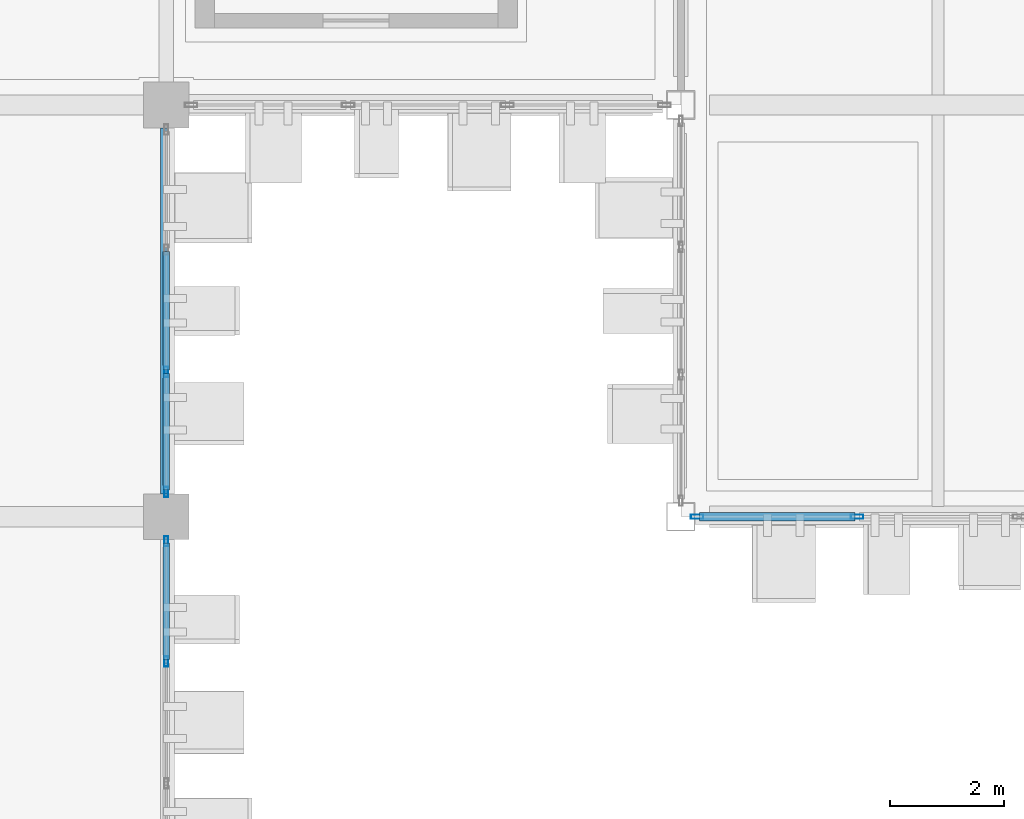
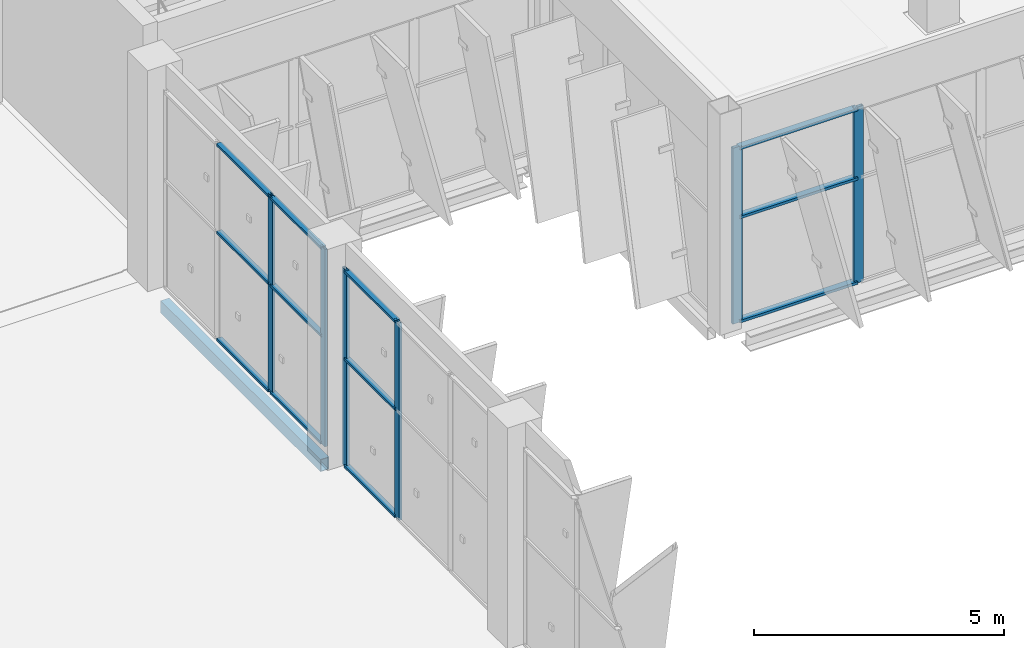
# One storey, part 61 of 137: 18 members, 1 beam, 3 elements without a shape of their own.
"""IFC4 building model written with IfcOpenShell, lengths in metres."""

from ifc_helpers import new_model, si_unit, direction, frame, origin, origin_2d, place, context, subcontext, project, spatial, hollow_rectangle, extrude, material, layer, layer_set, material_profile, profile_set, type_object, element, aggregate, save


model = new_model("IFC4")

# Units and contexts
model_context = context("Model", 3, precision=1e-05, world=origin(), true_north=direction((0.0, 1.0)))
body_context = subcontext(model_context, "Body", "Model", "MODEL_VIEW")
ifc_project = project(units=[si_unit("LENGTHUNIT", "METRE"), si_unit("AREAUNIT", "SQUARE_METRE"), si_unit("VOLUMEUNIT", "CUBIC_METRE"), si_unit("PLANEANGLEUNIT", "RADIAN"), si_unit("MASSUNIT", "GRAM", prefix="KILO")], contexts=[model_context])

# Site, building, storey
site_placement = place(None, origin())
site = spatial("IfcSite", under=ifc_project, at=site_placement, CompositionType="ELEMENT")
building_placement = place(site_placement, origin())
building = spatial("IfcBuilding", under=site, at=building_placement, Name="Celestram Park Convention Centre", CompositionType="ELEMENT")
storey_placement = place(building_placement, origin())
storey = spatial("IfcBuildingStorey", under=building, at=storey_placement, Name="L00", CompositionType="ELEMENT", Elevation=0.0)

# Curtain wall, members
ifc_material_1 = material(Name="Anodised Aluminium Alloy 6063-T6", Category="aluminium")
ifc_layer_1 = layer(ifc_material_1, 0.179931640625)
ifc_layer_set_1 = layer_set([ifc_layer_1], Name="Anodised Aluminium Alloy 6063-T6")
curtain_wall_type_1 = type_object("IfcCurtainWallType", Name="ARC-CW-640X482", PredefinedType="NOTDEFINED", material=ifc_layer_set_1)
curtain_wall_1_placement = place(storey_placement, origin())
curtain_wall_1 = element("IfcCurtainWall", 1, at=curtain_wall_1_placement, inside=storey, type_object=curtain_wall_type_1, Name="Unitised curtain wall CU-L00-006", PredefinedType="NOTDEFINED")
ifc_material_profile_1 = material_profile(ifc_material_1, hollow_rectangle(XDim=0.06494140625, YDim=0.179931640625, WallThickness=0.00390625, at=origin_2d()), Name="ALU65X180X4")
ifc_profile_set_1 = profile_set([ifc_material_profile_1], Name="Anodised Aluminium Alloy 6063-T6")
member_type_1 = type_object("IfcMemberType", Name="ARC-CWM-150", PredefinedType="MULLION", material=ifc_profile_set_1)
member_1_placement = place(storey_placement, frame((144.0, 117.732666015625, 0.0), z_axis=(0.0, 0.0, 1.0), x_axis=(1.0, 0.0, 0.0)))
member_1 = element("IfcMember", 2, at=member_1_placement, type_object=member_type_1, Name="CW-64X48 mullion 3", PredefinedType="MULLION", context=body_context, shape_type="SweptSolid", body=[
    extrude(hollow_rectangle(XDim=0.06494140625, YDim=0.179931640625, WallThickness=0.00390625, at=origin_2d()), origin(), (0.0, 0.0, 1.0), 4.820068359375),
])
member_2_placement = place(storey_placement, frame((144.0, 115.630615234375, 0.0), z_axis=(0.0, 0.0, 1.0), x_axis=(1.0, 0.0, 0.0)))
member_2 = element("IfcMember", 3, at=member_2_placement, type_object=member_type_1, Name="CW-64X48 mullion 4", PredefinedType="MULLION", context=body_context, shape_type="SweptSolid", body=[
    extrude(hollow_rectangle(XDim=0.06494140625, YDim=0.179931640625, WallThickness=0.00390625, at=origin_2d()), origin(), (0.0, 0.0, 1.0), 4.820068359375),
])

curtain_wall_2_placement = place(storey_placement, origin())
curtain_wall_2 = element("IfcCurtainWall", 4, at=curtain_wall_2_placement, inside=storey, type_object=curtain_wall_type_1, Name="Unitised curtain wall CU-L00-007", PredefinedType="NOTDEFINED")
member_3_placement = place(storey_placement, frame((144.0, 114.76953125, 0.0), z_axis=(0.0, 0.0, 1.0), x_axis=(1.0, 0.0, 0.0)))
member_3 = element("IfcMember", 5, at=member_3_placement, type_object=member_type_1, Name="CW-64X48 mullion 1", PredefinedType="MULLION", context=body_context, shape_type="SweptSolid", body=[
    extrude(hollow_rectangle(XDim=0.06494140625, YDim=0.179931640625, WallThickness=0.00390625, at=origin_2d()), origin(), (0.0, 0.0, 1.0), 4.820068359375),
])
member_4_placement = place(storey_placement, frame((144.0, 112.667236328125, 0.0), z_axis=(0.0, 0.0, 1.0), x_axis=(1.0, 0.0, 0.0)))
member_4 = element("IfcMember", 6, at=member_4_placement, type_object=member_type_1, Name="CW-64X48 mullion 2", PredefinedType="MULLION", context=body_context, shape_type="SweptSolid", body=[
    extrude(hollow_rectangle(XDim=0.06494140625, YDim=0.179931640625, WallThickness=0.00390625, at=origin_2d()), origin(), (0.0, 0.0, 1.0), 4.820068359375),
])

ifc_layer_2 = layer(ifc_material_1, 0.179931640625)
ifc_layer_set_2 = layer_set([ifc_layer_2], Name="Anodised Aluminium Alloy 6063-T6")
curtain_wall_type_2 = type_object("IfcCurtainWallType", Name="ARC-CW-850X430", PredefinedType="NOTDEFINED", material=ifc_layer_set_2)
curtain_wall_3_placement = place(storey_placement, origin())
curtain_wall_3 = element("IfcCurtainWall", 7, at=curtain_wall_3_placement, inside=storey, type_object=curtain_wall_type_2, Name="Unitised curtain wall CU-L00-003", PredefinedType="NOTDEFINED")
ifc_material_profile_2 = material_profile(ifc_material_1, hollow_rectangle(XDim=0.074951171875, YDim=0.219970703125, WallThickness=0.00390625, at=origin_2d()), Name="ALU75X220X4")
ifc_profile_set_2 = profile_set([ifc_material_profile_2], Name="Anodised Aluminium Alloy 6063-T6")
member_type_2 = type_object("IfcMemberType", Name="ARC-CWM-180", PredefinedType="MULLION", material=ifc_profile_set_2)
member_5_placement = place(storey_placement, frame((156.082763671875, 115.199951171875, 0.0), z_axis=(0.0, 0.0, 1.0), x_axis=(0.0, -1.0, 0.0)))
member_5 = element("IfcMember", 8, at=member_5_placement, type_object=member_type_2, Name="CW-85X43 mullion 3", PredefinedType="MULLION", context=body_context, shape_type="SweptSolid", body=[
    extrude(hollow_rectangle(XDim=0.074951171875, YDim=0.219970703125, WallThickness=0.00390625, at=origin_2d()), origin(), (0.0, 0.0, 1.0), 4.297119140625),
])
member_6_placement = place(storey_placement, frame((153.285400390625, 115.199951171875, 0.0), z_axis=(0.0, 0.0, 1.0), x_axis=(0.0, -1.0, 0.0)))
member_6 = element("IfcMember", 9, at=member_6_placement, type_object=member_type_2, Name="CW-85X43 mullion 4", PredefinedType="MULLION", context=body_context, shape_type="SweptSolid", body=[
    extrude(hollow_rectangle(XDim=0.074951171875, YDim=0.219970703125, WallThickness=0.00390625, at=origin_2d()), origin(), (0.0, 0.0, 1.0), 4.297119140625),
])

# Member
ifc_material_profile_3 = material_profile(ifc_material_1, hollow_rectangle(XDim=0.1201171875, YDim=0.06005859375, WallThickness=0.0029296875, at=origin_2d()), Name="ALU120X60X3")
ifc_profile_set_3 = profile_set([ifc_material_profile_3], Name="Anodised Aluminium Alloy 6063-T6")
member_type_3 = type_object("IfcMemberType", Name="ARC-CWT-120", PredefinedType="USERDEFINED", material=ifc_profile_set_3)
member_7_placement = place(storey_placement, frame((144.0, 119.834716796875, 0.030029296875), z_axis=(0.0, -1.0, 0.0), x_axis=(1.0, 0.0, 0.0)))
member_7 = element("IfcMember", 10, at=member_7_placement, type_object=member_type_3, Name="CW-64X48 transom 2.1", ObjectType="TRANSOM", PredefinedType="USERDEFINED", context=body_context, shape_type="SweptSolid", body=[
    extrude(hollow_rectangle(XDim=0.1201171875, YDim=0.06005859375, WallThickness=0.0029296875, at=origin_2d()), origin(), (0.0, 0.0, 1.0), 2.069580078125),
])

member_8_placement = place(storey_placement, frame((144.0, 119.834716796875, 2.64990234375), z_axis=(0.0, -1.0, 0.0), x_axis=(1.0, 0.0, 0.0)))
member_8 = element("IfcMember", 11, at=member_8_placement, type_object=member_type_3, Name="CW-64X48 transom 2.2", ObjectType="TRANSOM", PredefinedType="USERDEFINED", context=body_context, shape_type="SweptSolid", body=[
    extrude(hollow_rectangle(XDim=0.1201171875, YDim=0.06005859375, WallThickness=0.0029296875, at=origin_2d()), origin(), (0.0, 0.0, 1.0), 2.069580078125),
])

member_9_placement = place(storey_placement, frame((144.0, 119.834716796875, 4.7900390625), z_axis=(0.0, -1.0, 0.0), x_axis=(1.0, 0.0, 0.0)))
member_9 = element("IfcMember", 12, at=member_9_placement, type_object=member_type_3, Name="CW-64X48 transom 2.3", ObjectType="TRANSOM", PredefinedType="USERDEFINED", context=body_context, shape_type="SweptSolid", body=[
    extrude(hollow_rectangle(XDim=0.1201171875, YDim=0.06005859375, WallThickness=0.0029296875, at=origin_2d()), origin(), (0.0, 0.0, 1.0), 2.069580078125),
])

member_10_placement = place(storey_placement, frame((144.0, 117.7001953125, 0.030029296875), z_axis=(0.0, -1.0, 0.0), x_axis=(1.0, 0.0, 0.0)))
member_10 = element("IfcMember", 13, at=member_10_placement, type_object=member_type_3, Name="CW-64X48 transom 3.1", ObjectType="TRANSOM", PredefinedType="USERDEFINED", context=body_context, shape_type="SweptSolid", body=[
    extrude(hollow_rectangle(XDim=0.1201171875, YDim=0.06005859375, WallThickness=0.0029296875, at=origin_2d()), origin(), (0.0, 0.0, 1.0), 2.037109375),
])

member_11_placement = place(storey_placement, frame((144.0, 117.7001953125, 2.64990234375), z_axis=(0.0, -1.0, 0.0), x_axis=(1.0, 0.0, 0.0)))
member_11 = element("IfcMember", 14, at=member_11_placement, type_object=member_type_3, Name="CW-64X48 transom 3.2", ObjectType="TRANSOM", PredefinedType="USERDEFINED", context=body_context, shape_type="SweptSolid", body=[
    extrude(hollow_rectangle(XDim=0.1201171875, YDim=0.06005859375, WallThickness=0.0029296875, at=origin_2d()), origin(), (0.0, 0.0, 1.0), 2.037109375),
])

member_12_placement = place(storey_placement, frame((144.0, 117.7001953125, 4.7900390625), z_axis=(0.0, -1.0, 0.0), x_axis=(1.0, 0.0, 0.0)))
member_12 = element("IfcMember", 15, at=member_12_placement, type_object=member_type_3, Name="CW-64X48 transom 3.3", ObjectType="TRANSOM", PredefinedType="USERDEFINED", context=body_context, shape_type="SweptSolid", body=[
    extrude(hollow_rectangle(XDim=0.1201171875, YDim=0.06005859375, WallThickness=0.0029296875, at=origin_2d()), origin(), (0.0, 0.0, 1.0), 2.037109375),
])

aggregate(curtain_wall_1, [member_1, member_2, member_7, member_8, member_9, member_10, member_11, member_12])

member_13_placement = place(storey_placement, frame((144.0, 114.737060546875, 0.030029296875), z_axis=(0.0, -1.0, 0.0), x_axis=(1.0, 0.0, 0.0)))
member_13 = element("IfcMember", 16, at=member_13_placement, type_object=member_type_3, Name="CW-64X48 transom 1.1", ObjectType="TRANSOM", PredefinedType="USERDEFINED", context=body_context, shape_type="SweptSolid", body=[
    extrude(hollow_rectangle(XDim=0.1201171875, YDim=0.06005859375, WallThickness=0.0029296875, at=origin_2d()), origin(), (0.0, 0.0, 1.0), 2.037109375),
])

member_14_placement = place(storey_placement, frame((144.0, 114.737060546875, 2.64990234375), z_axis=(0.0, -1.0, 0.0), x_axis=(1.0, 0.0, 0.0)))
member_14 = element("IfcMember", 17, at=member_14_placement, type_object=member_type_3, Name="CW-64X48 transom 1.2", ObjectType="TRANSOM", PredefinedType="USERDEFINED", context=body_context, shape_type="SweptSolid", body=[
    extrude(hollow_rectangle(XDim=0.1201171875, YDim=0.06005859375, WallThickness=0.0029296875, at=origin_2d()), origin(), (0.0, 0.0, 1.0), 2.037109375),
])

member_15_placement = place(storey_placement, frame((144.0, 114.737060546875, 4.7900390625), z_axis=(0.0, -1.0, 0.0), x_axis=(1.0, 0.0, 0.0)))
member_15 = element("IfcMember", 18, at=member_15_placement, type_object=member_type_3, Name="CW-64X48 transom 1.3", ObjectType="TRANSOM", PredefinedType="USERDEFINED", context=body_context, shape_type="SweptSolid", body=[
    extrude(hollow_rectangle(XDim=0.1201171875, YDim=0.06005859375, WallThickness=0.0029296875, at=origin_2d()), origin(), (0.0, 0.0, 1.0), 2.037109375),
])

aggregate(curtain_wall_2, [member_3, member_4, member_13, member_14, member_15])

ifc_material_profile_4 = material_profile(ifc_material_1, hollow_rectangle(XDim=0.14990234375, YDim=0.06494140625, WallThickness=0.0029296875, at=origin_2d()), Name="ALU150X65X3")
ifc_profile_set_4 = profile_set([ifc_material_profile_4], Name="Anodised Aluminium Alloy 6063-T6")
member_type_4 = type_object("IfcMemberType", Name="ARC-CWT-150", PredefinedType="USERDEFINED", material=ifc_profile_set_4)
member_16_placement = place(storey_placement, frame((156.045166015625, 115.199951171875, 0.032470703125), z_axis=(-1.0, 0.0, 0.0), x_axis=(0.0, -1.0, 0.0)))
member_16 = element("IfcMember", 19, at=member_16_placement, type_object=member_type_4, Name="CW-85X43 transom 3.1", ObjectType="TRANSOM", PredefinedType="USERDEFINED", context=body_context, shape_type="SweptSolid", body=[
    extrude(hollow_rectangle(XDim=0.14990234375, YDim=0.06494140625, WallThickness=0.0029296875, at=origin_2d()), origin(), (0.0, 0.0, 1.0), 2.72216796875),
])

member_17_placement = place(storey_placement, frame((156.045166015625, 115.199951171875, 2.577880859375), z_axis=(-1.0, 0.0, 0.0), x_axis=(0.0, -1.0, 0.0)))
member_17 = element("IfcMember", 20, at=member_17_placement, type_object=member_type_4, Name="CW-85X43 transom 3.2", ObjectType="TRANSOM", PredefinedType="USERDEFINED", context=body_context, shape_type="SweptSolid", body=[
    extrude(hollow_rectangle(XDim=0.14990234375, YDim=0.06494140625, WallThickness=0.0029296875, at=origin_2d()), origin(), (0.0, 0.0, 1.0), 2.72216796875),
])

member_18_placement = place(storey_placement, frame((156.045166015625, 115.199951171875, 4.264404296875), z_axis=(-1.0, 0.0, 0.0), x_axis=(0.0, -1.0, 0.0)))
member_18 = element("IfcMember", 21, at=member_18_placement, type_object=member_type_4, Name="CW-85X43 transom 3.3", ObjectType="TRANSOM", PredefinedType="USERDEFINED", context=body_context, shape_type="SweptSolid", body=[
    extrude(hollow_rectangle(XDim=0.14990234375, YDim=0.06494140625, WallThickness=0.0029296875, at=origin_2d()), origin(), (0.0, 0.0, 1.0), 2.72216796875),
])

aggregate(curtain_wall_3, [member_5, member_6, member_16, member_17, member_18])

# Beam
ifc_material_2 = material(Name="Steel ASTM A500 Grade C", Category="steel")
ifc_material_profile_5 = material_profile(ifc_material_2, hollow_rectangle(XDim=0.199951171875, YDim=0.300048828125, WallThickness=0.011962890625, at=origin_2d()), Name="HSS300X200X12")
ifc_profile_set_5 = profile_set([ifc_material_profile_5], Name="Steel ASTM A500 Grade C")
beam_type = type_object("IfcBeamType", Name="STR-SPN-HSS300X200", PredefinedType="SPANDREL", material=ifc_profile_set_5)
beam_placement = place(storey_placement, frame((144.0, 115.597900390625, -0.469970703125), z_axis=(0.0, 1.0, 0.0), x_axis=(-1.0, 0.0, 0.0)))
element("IfcBeam", 22, at=beam_placement, inside=storey, type_object=beam_type, Name="Primary Y-girder BG-L00-0681", PredefinedType="SPANDREL", context=body_context, shape_type="SweptSolid", body=[
    extrude(hollow_rectangle(XDim=0.199951171875, YDim=0.300048828125, WallThickness=0.011962890625, at=origin_2d()), origin(), (0.0, 0.0, 1.0), 6.404052734375),
])

save(model, "model.ifc")
